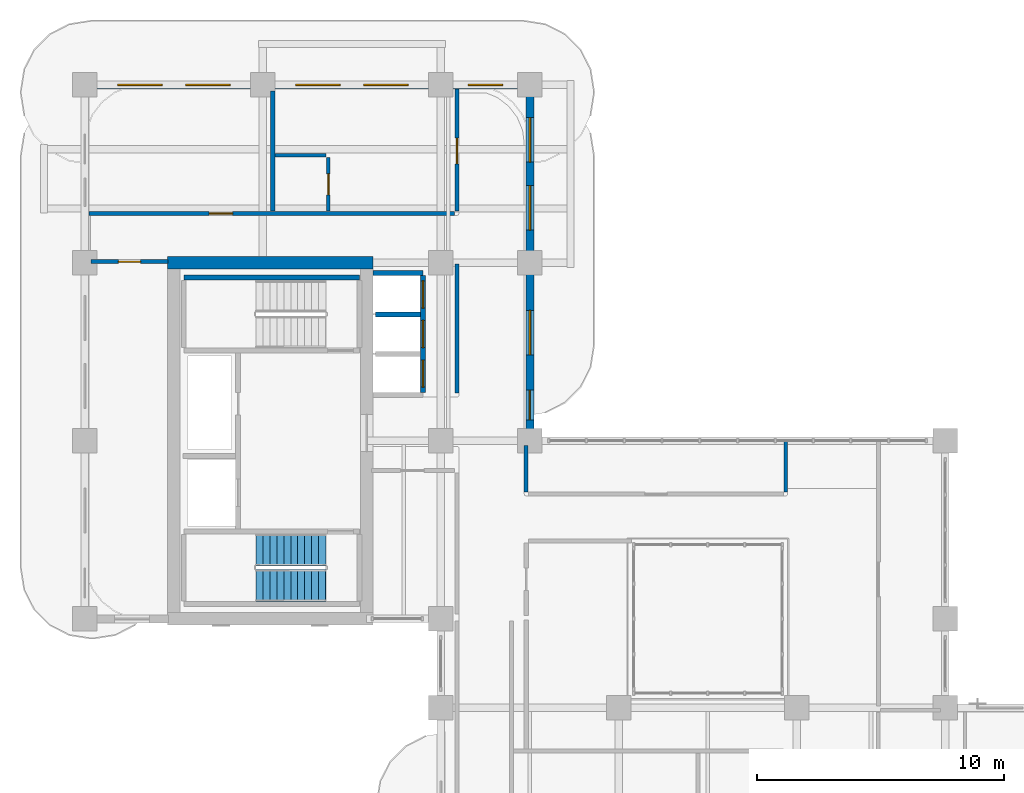
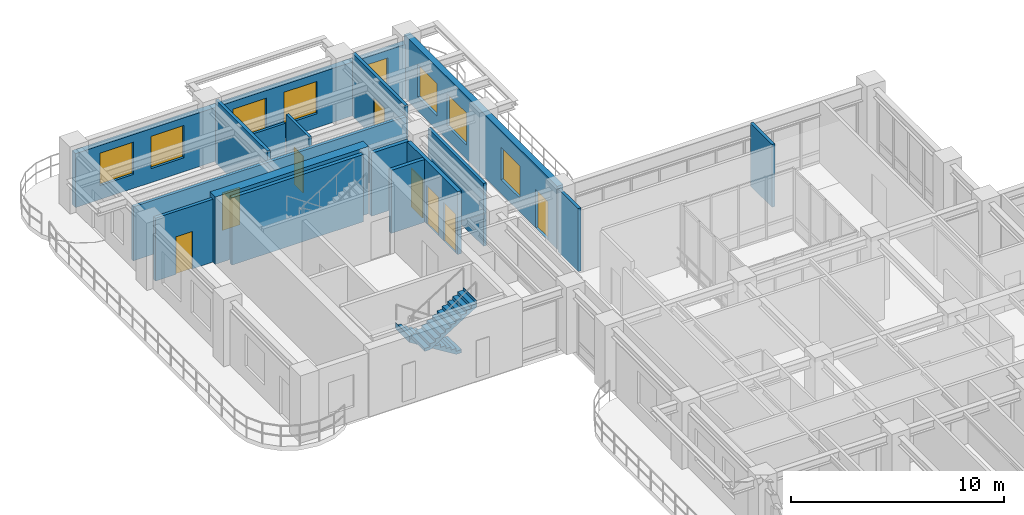
# One storey, part 15 of 21: 16 walls, 8 doors, 8 windows, 2 stair flights, 16 openings, 1 element without a shape of its own.
"""IFC4 building model written with IfcOpenShell, lengths in metres."""

from ifc_helpers import new_model, si_unit, derived_unit, direction, frame, frame_2d, origin, place, context, subcontext, project, spatial, polyline, rectangle, outline, extrude, source, transform, mapped, material, layer, layer_set, type_object, type_shapes, element, fill, aggregate, save


model = new_model("IFC4")

# Units and contexts
model_context = context("Model", 3, precision=1e-05, world=origin(), true_north=direction((0.0, 1.0)))
body_context = subcontext(model_context, "Body", "Model", "MODEL_VIEW")
ifc_project = project(units=[si_unit("LENGTHUNIT", "METRE"), si_unit("AREAUNIT", "SQUARE_METRE"), si_unit("VOLUMEUNIT", "CUBIC_METRE"), si_unit("PLANEANGLEUNIT", "RADIAN"), si_unit("MASSUNIT", "GRAM", prefix="KILO"), si_unit("THERMODYNAMICTEMPERATUREUNIT", "KELVIN"), si_unit("POWERUNIT", "WATT"), derived_unit("THERMALTRANSMITTANCEUNIT", [(si_unit("POWERUNIT", "WATT"), 1), (si_unit("AREAUNIT", "SQUARE_METRE"), -1), (si_unit("THERMODYNAMICTEMPERATUREUNIT", "KELVIN"), -1)])], contexts=[model_context])

# Site, building, storey
site_placement = place(None, origin())
site = spatial("IfcSite", under=ifc_project, at=site_placement, CompositionType="ELEMENT")
building_placement = place(site_placement, origin())
building = spatial("IfcBuilding", under=site, at=building_placement, Name="Zahravan Archway Hotel and Residences", CompositionType="ELEMENT")
storey_placement = place(building_placement, frame((0.0, 0.0, 169.550048828125)))
storey = spatial("IfcBuildingStorey", under=building, at=storey_placement, Name="L42", CompositionType="ELEMENT", Elevation=169.550048828125)

# Wall
ifc_material_1 = material(Name="Concrete C60/75", Category="concrete")
ifc_layer_1 = layer(ifc_material_1, 0.5, Name="Concrete C60/75", Category="concrete")
ifc_layer_set_1 = layer_set([ifc_layer_1], Name="Concrete C60/75")
wall_type_1 = type_object("IfcWallType", Name="CW-CORE-500", PredefinedType="SHEAR", material=ifc_layer_set_1)
wall_1_placement = place(storey_placement, frame((3.35009765625, 39.60009765625, 0.0), z_axis=(0.0, 0.0, 1.0), x_axis=(1.0, 0.0, 0.0)))
element("IfcWall", 1, at=wall_1_placement, inside=storey, type_object=wall_type_1, Name="L42 Core B Shear N Wall 500 mm", PredefinedType="SHEAR", context=body_context, shape_type="SweptSolid", body=[
    extrude(rectangle(XDim=8.2998046875, YDim=0.5, at=frame_2d((4.14990234375, 0.0))), origin(), (0.0, 0.0, 1.0), 3.849853515625),
])

# Wall, openings, windows
ifc_material_2 = material(Name="Agra Buff Sandstone & Insulated Backup", Category="masonry")
ifc_layer_2 = layer(ifc_material_2, 0.320068359375, Name="Agra Buff Sandstone & Insulated Backup", Category="masonry")
ifc_layer_set_2 = layer_set([ifc_layer_2], Name="Agra Buff Sandstone & Insulated Backup")
wall_type_2 = type_object("IfcWallType", Name="EW-SAND-320", PredefinedType="SOLIDWALL", material=ifc_layer_set_2)
wall_2_placement = place(storey_placement, frame((0.0, 46.800048828125, 0.0), z_axis=(0.0, 0.0, 1.0), x_axis=(1.0, 0.0, 0.0)))
wall_2 = element("IfcWall", 2, at=wall_2_placement, inside=storey, type_object=wall_type_2, Name="L42 Exterior Sandstone Wall WB-N", PredefinedType="SOLIDWALL", context=body_context, shape_type="SweptSolid", body=[
    extrude(rectangle(XDim=18.0, YDim=0.320068359375, at=frame_2d((9.0, 0.0))), origin(), (0.0, 0.0, 1.0), 3.0849609375),
])
opening_1_placement = place(wall_2_placement, frame((1.324951171875, 0.0, 0.800048828125)))
opening_1 = element("IfcOpeningElement", 3, at=opening_1_placement, cuts=wall_2, Name="Opening W-02", PredefinedType="OPENING", context=body_context, shape_type="SweptSolid", body=[
    extrude(rectangle(XDim=1.800048828125, YDim=1.85009765625, at=frame_2d((0.89990234375, 0.925048828125))), frame((0.0, 0.169921875, 0.0), z_axis=(0.0, -1.0, 0.0), x_axis=(1.0, 0.0, 0.0)), (0.0, 0.0, 1.0), 0.340087890625),
])
opening_2_placement = place(wall_2_placement, frame((4.074951171875, 0.0, 0.800048828125)))
opening_2 = element("IfcOpeningElement", 4, at=opening_2_placement, cuts=wall_2, Name="Opening W-02", PredefinedType="OPENING", context=body_context, shape_type="SweptSolid", body=[
    extrude(rectangle(XDim=1.800048828125, YDim=1.85009765625, at=frame_2d((0.89990234375, 0.925048828125))), frame((0.0, 0.169921875, 0.0), z_axis=(0.0, -1.0, 0.0), x_axis=(1.0, 0.0, 0.0)), (0.0, 0.0, 1.0), 0.340087890625),
])
opening_3_placement = place(wall_2_placement, frame((8.52490234375, 0.0, 0.800048828125)))
opening_3 = element("IfcOpeningElement", 5, at=opening_3_placement, cuts=wall_2, Name="Opening W-02", PredefinedType="OPENING", context=body_context, shape_type="SweptSolid", body=[
    extrude(rectangle(XDim=1.800048828125, YDim=1.85009765625, at=frame_2d((0.89990234375, 0.925048828125))), frame((0.0, 0.169921875, 0.0), z_axis=(0.0, -1.0, 0.0), x_axis=(1.0, 0.0, 0.0)), (0.0, 0.0, 1.0), 0.340087890625),
])
opening_4_placement = place(wall_2_placement, frame((11.27490234375, 0.0, 0.800048828125)))
opening_4 = element("IfcOpeningElement", 6, at=opening_4_placement, cuts=wall_2, Name="Opening W-02", PredefinedType="OPENING", context=body_context, shape_type="SweptSolid", body=[
    extrude(rectangle(XDim=1.800048828125, YDim=1.85009765625, at=frame_2d((0.89990234375, 0.925048828125))), frame((0.0, 0.169921875, 0.0), z_axis=(0.0, -1.0, 0.0), x_axis=(1.0, 0.0, 0.0)), (0.0, 0.0, 1.0), 0.340087890625),
])
opening_5_placement = place(wall_2_placement, frame((15.5, 0.0, 0.800048828125)))
opening_5 = element("IfcOpeningElement", 7, at=opening_5_placement, cuts=wall_2, Name="Opening W-03", PredefinedType="OPENING", context=body_context, shape_type="SweptSolid", body=[
    extrude(rectangle(XDim=1.39990234375, YDim=1.85009765625, at=frame_2d((0.699951171875, 0.925048828125))), frame((0.0, 0.169921875, 0.0), z_axis=(0.0, -1.0, 0.0), x_axis=(1.0, 0.0, 0.0)), (0.0, 0.0, 1.0), 0.340087890625),
])
ifc_material_3 = material(Name="Bronze-Anodized Thermal-Break Aluminium & Low-E Glass", Category="aluminium")
window_type_1 = type_object("IfcWindowType", Name="WIN-TWR-1400", PartitioningType="SINGLE_PANEL", PredefinedType="WINDOW", material=ifc_material_3)
shared_shape_1 = source(origin(), body_context, "Body", "SweptSolid", [
    extrude(rectangle(XDim=1.39990234375, YDim=1.85009765625, at=frame_2d((0.699951171875, 0.925048828125))), frame((0.0, 0.030029296875, 0.0), z_axis=(0.0, -1.0, 0.0), x_axis=(1.0, 0.0, 0.0)), (0.0, 0.0, 1.0), 0.06005859375),
])
type_shapes(window_type_1, [shared_shape_1])
window_1_placement = place(opening_5_placement, origin())
window_1 = element("IfcWindow", 8, at=window_1_placement, inside=storey, type_object=window_type_1, Name="L42 Loggia Window 30", OverallHeight=1.85009765625, OverallWidth=1.39990234375, PartitioningType="SINGLE_PANEL", PredefinedType="WINDOW", context=body_context, shape_type="MappedRepresentation", body=[
    mapped(shared_shape_1, transform((0.0, 0.0, 0.0), scale=1.0)),
])
fill(opening_5, window_1)
window_type_2 = type_object("IfcWindowType", Name="WIN-TWR-1800", PartitioningType="DOUBLE_PANEL_VERTICAL", PredefinedType="WINDOW", material=ifc_material_3)
shared_shape_2 = source(origin(), body_context, "Body", "SweptSolid", [
    extrude(rectangle(XDim=1.800048828125, YDim=1.85009765625, at=frame_2d((0.89990234375, 0.925048828125))), frame((0.0, 0.030029296875, 0.0), z_axis=(0.0, -1.0, 0.0), x_axis=(1.0, 0.0, 0.0)), (0.0, 0.0, 1.0), 0.06005859375),
])
type_shapes(window_type_2, [shared_shape_2])
window_2_placement = place(opening_1_placement, origin())
window_2 = element("IfcWindow", 9, at=window_2_placement, inside=storey, type_object=window_type_2, Name="L42 Loggia Window 26", OverallHeight=1.85009765625, OverallWidth=1.800048828125, PartitioningType="DOUBLE_PANEL_VERTICAL", PredefinedType="WINDOW", context=body_context, shape_type="MappedRepresentation", body=[
    mapped(shared_shape_2, transform((0.0, 0.0, 0.0), scale=1.0)),
])
fill(opening_1, window_2)
window_3_placement = place(opening_2_placement, origin())
window_3 = element("IfcWindow", 10, at=window_3_placement, inside=storey, type_object=window_type_2, Name="L42 Loggia Window 27", OverallHeight=1.85009765625, OverallWidth=1.800048828125, PartitioningType="DOUBLE_PANEL_VERTICAL", PredefinedType="WINDOW", context=body_context, shape_type="MappedRepresentation", body=[
    mapped(shared_shape_2, transform((0.0, 0.0, 0.0), scale=1.0)),
])
fill(opening_2, window_3)
window_4_placement = place(opening_3_placement, origin())
window_4 = element("IfcWindow", 11, at=window_4_placement, inside=storey, type_object=window_type_2, Name="L42 Loggia Window 28", OverallHeight=1.85009765625, OverallWidth=1.800048828125, PartitioningType="DOUBLE_PANEL_VERTICAL", PredefinedType="WINDOW", context=body_context, shape_type="MappedRepresentation", body=[
    mapped(shared_shape_2, transform((0.0, 0.0, 0.0), scale=1.0)),
])
fill(opening_3, window_4)
window_5_placement = place(opening_4_placement, origin())
window_5 = element("IfcWindow", 12, at=window_5_placement, inside=storey, type_object=window_type_2, Name="L42 Loggia Window 29", OverallHeight=1.85009765625, OverallWidth=1.800048828125, PartitioningType="DOUBLE_PANEL_VERTICAL", PredefinedType="WINDOW", context=body_context, shape_type="MappedRepresentation", body=[
    mapped(shared_shape_2, transform((0.0, 0.0, 0.0), scale=1.0)),
])
fill(opening_4, window_5)

# Wall, openings, door, windows
wall_3_placement = place(storey_placement, frame((18.0, 32.39990234375, 0.0), z_axis=(0.0, 0.0, 1.0), x_axis=(0.0, 1.0, 0.0)))
wall_3 = element("IfcWall", 13, at=wall_3_placement, inside=storey, type_object=wall_type_2, Name="L42 Exterior Sandstone Wall WB-EU", PredefinedType="SOLIDWALL", context=body_context, shape_type="SweptSolid", body=[
    extrude(rectangle(XDim=14.35009765625, YDim=0.320068359375, at=frame_2d((7.175048828125, 0.0))), origin(), (0.0, 0.0, 1.0), 3.599853515625),
])
opening_6_placement = place(wall_3_placement, frame((0.85009765625, 0.0, 0.0)))
opening_6 = element("IfcOpeningElement", 14, at=opening_6_placement, cuts=wall_3, Name="Opening ED-BL1", PredefinedType="OPENING", context=body_context, shape_type="SweptSolid", body=[
    extrude(rectangle(XDim=1.199951171875, YDim=2.199951171875, at=frame_2d((0.60009765625, 1.10009765625))), frame((0.0, 0.169921875, 0.0), z_axis=(0.0, -1.0, 0.0), x_axis=(1.0, 0.0, 0.0)), (0.0, 0.0, 1.0), 0.340087890625),
])
opening_7_placement = place(wall_3_placement, frame((3.47509765625, 0.0, 0.800048828125)))
opening_7 = element("IfcOpeningElement", 15, at=opening_7_placement, cuts=wall_3, Name="Opening W-02", PredefinedType="OPENING", context=body_context, shape_type="SweptSolid", body=[
    extrude(rectangle(XDim=1.800048828125, YDim=1.85009765625, at=frame_2d((0.89990234375, 0.925048828125))), frame((0.0, 0.169921875, 0.0), z_axis=(0.0, -1.0, 0.0), x_axis=(1.0, 0.0, 0.0)), (0.0, 0.0, 1.0), 0.340087890625),
])
opening_8_placement = place(wall_3_placement, frame((8.52490234375, 0.0, 0.800048828125)))
opening_8 = element("IfcOpeningElement", 16, at=opening_8_placement, cuts=wall_3, Name="Opening W-02", PredefinedType="OPENING", context=body_context, shape_type="SweptSolid", body=[
    extrude(rectangle(XDim=1.800048828125, YDim=1.85009765625, at=frame_2d((0.89990234375, 0.925048828125))), frame((0.0, 0.169921875, 0.0), z_axis=(0.0, -1.0, 0.0), x_axis=(1.0, 0.0, 0.0)), (0.0, 0.0, 1.0), 0.340087890625),
])
opening_9_placement = place(wall_3_placement, frame((11.27490234375, 0.0, 0.800048828125)))
opening_9 = element("IfcOpeningElement", 17, at=opening_9_placement, cuts=wall_3, Name="Opening W-02", PredefinedType="OPENING", context=body_context, shape_type="SweptSolid", body=[
    extrude(rectangle(XDim=1.800048828125, YDim=1.85009765625, at=frame_2d((0.89990234375, 0.925048828125))), frame((0.0, 0.169921875, 0.0), z_axis=(0.0, -1.0, 0.0), x_axis=(1.0, 0.0, 0.0)), (0.0, 0.0, 1.0), 0.340087890625),
])
ifc_material_4 = material(Name="Bronze-Anodized Glazed Aluminium", Category="aluminium")
door_type_1 = type_object("IfcDoorType", Name="ED-BALC-1200", OperationType="SLIDING_TO_LEFT", PredefinedType="DOOR", material=ifc_material_4)
shared_shape_3 = source(origin(), body_context, "Body", "SweptSolid", [
    extrude(rectangle(XDim=1.199951171875, YDim=2.199951171875, at=frame_2d((0.60009765625, 1.10009765625))), frame((0.0, 0.02490234375, 0.0), z_axis=(0.0, -1.0, 0.0), x_axis=(1.0, 0.0, 0.0)), (0.0, 0.0, 1.0), 0.050048828125),
])
type_shapes(door_type_1, [shared_shape_3])
door_1_placement = place(opening_6_placement, origin())
door_1 = element("IfcDoor", 18, at=door_1_placement, inside=storey, type_object=door_type_1, Name="L42 Outdoor Access Sliding Door (SLB-BAL-L42-EB)", OperationType="SLIDING_TO_LEFT", OverallHeight=2.199951171875, OverallWidth=1.199951171875, PredefinedType="DOOR", context=body_context, shape_type="MappedRepresentation", body=[
    mapped(shared_shape_3, transform((0.0, 0.0, 0.0), scale=1.0)),
])
fill(opening_6, door_1)
window_6_placement = place(opening_7_placement, origin())
window_6 = element("IfcWindow", 19, at=window_6_placement, inside=storey, type_object=window_type_2, Name="L42 Loggia Window 31", OverallHeight=1.85009765625, OverallWidth=1.800048828125, PartitioningType="DOUBLE_PANEL_VERTICAL", PredefinedType="WINDOW", context=body_context, shape_type="MappedRepresentation", body=[
    mapped(shared_shape_2, transform((0.0, 0.0, 0.0), scale=1.0)),
])
fill(opening_7, window_6)
window_7_placement = place(opening_8_placement, origin())
window_7 = element("IfcWindow", 20, at=window_7_placement, inside=storey, type_object=window_type_2, Name="L42 Loggia Window 32", OverallHeight=1.85009765625, OverallWidth=1.800048828125, PartitioningType="DOUBLE_PANEL_VERTICAL", PredefinedType="WINDOW", context=body_context, shape_type="MappedRepresentation", body=[
    mapped(shared_shape_2, transform((0.0, 0.0, 0.0), scale=1.0)),
])
fill(opening_8, window_7)
window_8_placement = place(opening_9_placement, origin())
window_8 = element("IfcWindow", 21, at=window_8_placement, inside=storey, type_object=window_type_2, Name="L42 Loggia Window 33", OverallHeight=1.85009765625, OverallWidth=1.800048828125, PartitioningType="DOUBLE_PANEL_VERTICAL", PredefinedType="WINDOW", context=body_context, shape_type="MappedRepresentation", body=[
    mapped(shared_shape_2, transform((0.0, 0.0, 0.0), scale=1.0)),
])
fill(opening_9, window_8)

# Wall
ifc_material_5 = material(Name="Fire-Rated Gypsum & Concrete Block", Category="concrete")
ifc_layer_3 = layer(ifc_material_5, 0.159912109375, Name="Fire-Rated Gypsum & Concrete Block", Category="concrete")
ifc_layer_set_3 = layer_set([ifc_layer_3], Name="Fire-Rated Gypsum & Concrete Block")
wall_type_3 = type_object("IfcWallType", Name="PW-CORR-160", PredefinedType="PARTITIONING", material=ifc_layer_set_3)
wall_4_placement = place(storey_placement, frame((15.050048828125, 34.340087890625, 0.0), z_axis=(0.0, 0.0, 1.0), x_axis=(0.0, 1.0, 0.0)))
element("IfcWall", 22, at=wall_4_placement, inside=storey, type_object=wall_type_3, Name="L42 Partition WBN-CL", PredefinedType="PARTITIONING", context=body_context, shape_type="SweptSolid", body=[
    extrude(rectangle(XDim=5.219970703125, YDim=0.159912109375, at=frame_2d((2.60986328125, 0.0))), origin(), (0.0, 0.0, 1.0), 3.599853515625),
])

# Wall, opening, door
wall_5_placement = place(storey_placement, frame((15.050048828125, 41.68994140625, 0.0), z_axis=(0.0, 0.0, 1.0), x_axis=(0.0, 1.0, 0.0)))
wall_5 = element("IfcWall", 23, at=wall_5_placement, inside=storey, type_object=wall_type_3, Name="L42 Partition WBN-CU", PredefinedType="PARTITIONING", context=body_context, shape_type="SweptSolid", body=[
    extrude(rectangle(XDim=4.942138671875, YDim=0.159912109375, at=frame_2d((2.47119140625, 0.0))), origin(), (0.0, 0.0, 1.0), 3.599853515625),
])
opening_10_placement = place(wall_5_placement, frame((1.909912109375, 0.0, 0.0)))
opening_10 = element("IfcOpeningElement", 24, at=opening_10_placement, cuts=wall_5, Name="Opening D-U1", PredefinedType="OPENING", context=body_context, shape_type="SweptSolid", body=[
    extrude(rectangle(XDim=1.050048828125, YDim=2.25, at=frame_2d((0.52490234375, 1.125))), frame((0.0, 0.08984375, 0.0), z_axis=(0.0, -1.0, 0.0), x_axis=(1.0, 0.0, 0.0)), (0.0, 0.0, 1.0), 0.179931640625),
])
ifc_material_6 = material(Name="Hardwood Veneer Timber", Category="wood")
door_type_2 = type_object("IfcDoorType", Name="ID-UNIT-1050", OperationType="NOTDEFINED", PredefinedType="DOOR", material=ifc_material_6)
shared_shape_4 = source(origin(), body_context, "Body", "SweptSolid", [
    extrude(rectangle(XDim=1.050048828125, YDim=2.25, at=frame_2d((0.52490234375, 1.125))), frame((0.0, 0.02490234375, 0.0), z_axis=(0.0, -1.0, 0.0), x_axis=(1.0, 0.0, 0.0)), (0.0, 0.0, 1.0), 0.050048828125),
])
type_shapes(door_type_2, [shared_shape_4])
door_2_placement = place(opening_10_placement, origin())
door_2 = element("IfcDoor", 25, at=door_2_placement, inside=storey, type_object=door_type_2, Name="L42 Hotel Guestroom 78 Entrance Door", OperationType="SINGLE_SWING_LEFT", OverallHeight=2.25, OverallWidth=1.050048828125, PredefinedType="DOOR", context=body_context, shape_type="MappedRepresentation", body=[
    mapped(shared_shape_4, transform((0.0, 0.0, 0.0), scale=1.0)),
])
fill(opening_10, door_2)

wall_6_placement = place(storey_placement, frame((0.16796875, 41.60009765625, 0.0), z_axis=(0.0, 0.0, 1.0), x_axis=(1.0, 0.0, 0.0)))
wall_6 = element("IfcWall", 26, at=wall_6_placement, inside=storey, type_object=wall_type_3, Name="L42 Partition WBN-S2", PredefinedType="PARTITIONING", context=body_context, shape_type="SweptSolid", body=[
    extrude(rectangle(XDim=14.7919921875, YDim=0.159912109375, at=frame_2d((7.39599609375, 0.0))), origin(), (0.0, 0.0, 1.0), 3.0849609375),
])
opening_11_placement = place(wall_6_placement, frame((4.85693359375, 0.0, 0.0)))
opening_11 = element("IfcOpeningElement", 27, at=opening_11_placement, cuts=wall_6, Name="Opening D-I1", PredefinedType="OPENING", context=body_context, shape_type="SweptSolid", body=[
    extrude(rectangle(XDim=0.949951171875, YDim=2.14990234375, at=frame_2d((0.47509765625, 1.074951171875))), frame((0.0, 0.08984375, 0.0), z_axis=(0.0, -1.0, 0.0), x_axis=(1.0, 0.0, 0.0)), (0.0, 0.0, 1.0), 0.179931640625),
])
door_type_3 = type_object("IfcDoorType", Name="ID-INT-950", OperationType="NOTDEFINED", PredefinedType="DOOR", material=ifc_material_6)
shared_shape_5 = source(origin(), body_context, "Body", "SweptSolid", [
    extrude(rectangle(XDim=0.949951171875, YDim=2.14990234375, at=frame_2d((0.47509765625, 1.074951171875))), frame((0.0, 0.02490234375, 0.0), z_axis=(0.0, -1.0, 0.0), x_axis=(1.0, 0.0, 0.0)), (0.0, 0.0, 1.0), 0.050048828125),
])
type_shapes(door_type_3, [shared_shape_5])
door_3_placement = place(opening_11_placement, origin())
door_3 = element("IfcDoor", 28, at=door_3_placement, inside=storey, type_object=door_type_3, Name="L42 North West Study Door", OperationType="SINGLE_SWING_LEFT", OverallHeight=2.14990234375, OverallWidth=0.949951171875, PredefinedType="DOOR", context=body_context, shape_type="MappedRepresentation", body=[
    mapped(shared_shape_5, transform((0.0, 0.0, 0.0), scale=1.0)),
])
fill(opening_11, door_3)

# Walls
wall_7_placement = place(storey_placement, frame((17.85009765625, 30.340087890625, 0.0), z_axis=(0.0, 0.0, 1.0), x_axis=(0.0, 1.0, 0.0)))
element("IfcWall", 29, at=wall_7_placement, inside=storey, type_object=wall_type_3, Name="L42 Partition ATR-NWW2", PredefinedType="PARTITIONING", context=body_context, shape_type="SweptSolid", body=[
    extrude(rectangle(XDim=1.869873046875, YDim=0.159912109375, at=frame_2d((0.93505859375, 0.0))), origin(), (0.0, 0.0, 1.0), 3.599853515625),
])
wall_8_placement = place(storey_placement, frame((28.35009765625, 30.340087890625, 0.0), z_axis=(0.0, 0.0, 1.0), x_axis=(0.0, 1.0, 0.0)))
element("IfcWall", 30, at=wall_8_placement, inside=storey, type_object=wall_type_3, Name="L42 Partition ATR-NWE", PredefinedType="PARTITIONING", context=body_context, shape_type="SweptSolid", body=[
    extrude(rectangle(XDim=2.031982421875, YDim=0.159912109375, at=frame_2d((1.01611328125, 0.0))), origin(), (0.0, 0.0, 1.0), 3.599853515625),
])
ifc_layer_4 = layer(ifc_material_5, 0.199951171875, Name="Fire-Rated Gypsum & Concrete Block", Category="concrete")
ifc_layer_set_4 = layer_set([ifc_layer_4], Name="Fire-Rated Gypsum & Concrete Block")
wall_type_4 = type_object("IfcWallType", Name="PW-SHAFT-200", PredefinedType="PARTITIONING", material=ifc_layer_set_4)
wall_9_placement = place(storey_placement, frame((11.659912109375, 39.18994140625, 0.0), z_axis=(0.0, 0.0, 1.0), x_axis=(1.0, 0.0, 0.0)))
element("IfcWall", 31, at=wall_9_placement, inside=storey, type_object=wall_type_4, Name="L42 Partition B2-N", PredefinedType="PARTITIONING", context=body_context, shape_type="SweptSolid", body=[
    extrude(rectangle(XDim=2.010009765625, YDim=0.199951171875, at=frame_2d((1.0048828125, 0.0))), origin(), (0.0, 0.0, 1.0), 3.599853515625),
])

# Wall, openings, doors
wall_10_placement = place(storey_placement, frame((13.679931640625, 34.360107421875, 0.0), z_axis=(0.0, 0.0, 1.0), x_axis=(0.0, 1.0, 0.0)))
wall_10 = element("IfcWall", 32, at=wall_10_placement, inside=storey, type_object=wall_type_4, Name="L42 Partition B2-E", PredefinedType="PARTITIONING", context=body_context, shape_type="SweptSolid", body=[
    extrude(rectangle(XDim=4.719970703125, YDim=0.199951171875, at=frame_2d((2.35986328125, 0.0))), origin(), (0.0, 0.0, 1.0), 3.599853515625),
])
opening_12_placement = place(wall_10_placement, frame((0.2099609375, 0.0, 0.0)))
opening_12 = element("IfcOpeningElement", 33, at=opening_12_placement, cuts=wall_10, Name="Opening LD", PredefinedType="OPENING", context=body_context, shape_type="SweptSolid", body=[
    extrude(rectangle(XDim=1.10009765625, YDim=2.199951171875, at=frame_2d((0.550048828125, 1.10009765625))), frame((0.0, 0.10986328125, 0.0), z_axis=(0.0, -1.0, 0.0), x_axis=(1.0, 0.0, 0.0)), (0.0, 0.0, 1.0), 0.219970703125),
])
opening_13_placement = place(wall_10_placement, frame((1.81005859375, 0.0, 0.0)))
opening_13 = element("IfcOpeningElement", 34, at=opening_13_placement, cuts=wall_10, Name="Opening LD", PredefinedType="OPENING", context=body_context, shape_type="SweptSolid", body=[
    extrude(rectangle(XDim=1.10009765625, YDim=2.199951171875, at=frame_2d((0.550048828125, 1.10009765625))), frame((0.0, 0.10986328125, 0.0), z_axis=(0.0, -1.0, 0.0), x_axis=(1.0, 0.0, 0.0)), (0.0, 0.0, 1.0), 0.219970703125),
])
opening_14_placement = place(wall_10_placement, frame((3.409912109375, 0.0, 0.0)))
opening_14 = element("IfcOpeningElement", 35, at=opening_14_placement, cuts=wall_10, Name="Opening LD", PredefinedType="OPENING", context=body_context, shape_type="SweptSolid", body=[
    extrude(rectangle(XDim=1.10009765625, YDim=2.199951171875, at=frame_2d((0.550048828125, 1.10009765625))), frame((0.0, 0.10986328125, 0.0), z_axis=(0.0, -1.0, 0.0), x_axis=(1.0, 0.0, 0.0)), (0.0, 0.0, 1.0), 0.219970703125),
])
ifc_material_7 = material(Name="Brushed Stainless Steel", Category="steel")
door_type_4 = type_object("IfcDoorType", Name="DR-LIFT-LD", OperationType="SLIDING_TO_LEFT", PredefinedType="DOOR", material=ifc_material_7)
shared_shape_6 = source(origin(), body_context, "Body", "SweptSolid", [
    extrude(rectangle(XDim=1.10009765625, YDim=2.199951171875, at=frame_2d((0.550048828125, 1.10009765625))), frame((0.0, 0.02490234375, 0.0), z_axis=(0.0, -1.0, 0.0), x_axis=(1.0, 0.0, 0.0)), (0.0, 0.0, 1.0), 0.050048828125),
])
type_shapes(door_type_4, [shared_shape_6])
door_4_placement = place(opening_12_placement, origin())
door_4 = element("IfcDoor", 36, at=door_4_placement, inside=storey, type_object=door_type_4, Name="L42 Lift LP-4 Sliding Landing Door", OperationType="SLIDING_TO_LEFT", OverallHeight=2.199951171875, OverallWidth=1.10009765625, PredefinedType="DOOR", context=body_context, shape_type="MappedRepresentation", body=[
    mapped(shared_shape_6, transform((0.0, 0.0, 0.0), scale=1.0)),
])
fill(opening_12, door_4)
door_5_placement = place(opening_13_placement, origin())
door_5 = element("IfcDoor", 37, at=door_5_placement, inside=storey, type_object=door_type_4, Name="L42 Lift LP-5 Sliding Landing Door", OperationType="SLIDING_TO_LEFT", OverallHeight=2.199951171875, OverallWidth=1.10009765625, PredefinedType="DOOR", context=body_context, shape_type="MappedRepresentation", body=[
    mapped(shared_shape_6, transform((0.0, 0.0, 0.0), scale=1.0)),
])
fill(opening_13, door_5)
door_6_placement = place(opening_14_placement, origin())
door_6 = element("IfcDoor", 38, at=door_6_placement, inside=storey, type_object=door_type_4, Name="L42 Lift LP-6 Sliding Landing Door", OperationType="SLIDING_TO_LEFT", OverallHeight=2.199951171875, OverallWidth=1.10009765625, PredefinedType="DOOR", context=body_context, shape_type="MappedRepresentation", body=[
    mapped(shared_shape_6, transform((0.0, 0.0, 0.0), scale=1.0)),
])
fill(opening_14, door_6)

# Wall
wall_11_placement = place(storey_placement, frame((11.760009765625, 37.52001953125, 0.0), z_axis=(0.0, 0.0, 1.0), x_axis=(1.0, 0.0, 0.0)))
element("IfcWall", 39, at=wall_11_placement, inside=storey, type_object=wall_type_4, Name="L42 Partition B2-D", PredefinedType="PARTITIONING", context=body_context, shape_type="SweptSolid", body=[
    extrude(rectangle(XDim=1.81005859375, YDim=0.199951171875, at=frame_2d((0.905029296875, 0.0))), origin(), (0.0, 0.0, 1.0), 3.599853515625),
])

# Wall, opening, door
ifc_material_8 = material(Name="Acoustic Stud Partition")
ifc_layer_5 = layer(ifc_material_8, 0.169921875, Name="Acoustic Stud Partition")
ifc_layer_set_5 = layer_set([ifc_layer_5], Name="Acoustic Stud Partition")
wall_type_5 = type_object("IfcWallType", Name="PW-UNIT-170", PredefinedType="PARTITIONING", material=ifc_layer_set_5)
wall_12_placement = place(storey_placement, frame((0.239990234375, 39.64990234375, 0.0), z_axis=(0.0, 0.0, 1.0), x_axis=(1.0, 0.0, 0.0)))
wall_12 = element("IfcWall", 40, at=wall_12_placement, inside=storey, type_object=wall_type_5, Name="L42 Partition WBW-N", PredefinedType="PARTITIONING", context=body_context, shape_type="SweptSolid", body=[
    extrude(rectangle(XDim=3.1201171875, YDim=0.169921875, at=frame_2d((1.56005859375, 0.0))), origin(), (0.0, 0.0, 1.0), 3.599853515625),
])
opening_15_placement = place(wall_12_placement, frame((1.110107421875, 0.0, 0.0)))
opening_15 = element("IfcOpeningElement", 41, at=opening_15_placement, cuts=wall_12, Name="Opening D-I2", PredefinedType="OPENING", context=body_context, shape_type="SweptSolid", body=[
    extrude(rectangle(XDim=0.89990234375, YDim=2.14990234375, at=frame_2d((0.449951171875, 1.074951171875))), frame((0.0, 0.094970703125, 0.0), z_axis=(0.0, -1.0, 0.0), x_axis=(1.0, 0.0, 0.0)), (0.0, 0.0, 1.0), 0.18994140625),
])
door_type_5 = type_object("IfcDoorType", Name="ID-INT-900", OperationType="NOTDEFINED", PredefinedType="DOOR", material=ifc_material_6)
shared_shape_7 = source(origin(), body_context, "Body", "SweptSolid", [
    extrude(rectangle(XDim=0.89990234375, YDim=2.14990234375, at=frame_2d((0.449951171875, 1.074951171875))), frame((0.0, 0.02490234375, 0.0), z_axis=(0.0, -1.0, 0.0), x_axis=(1.0, 0.0, 0.0)), (0.0, 0.0, 1.0), 0.050048828125),
])
type_shapes(door_type_5, [shared_shape_7])
door_7_placement = place(opening_15_placement, origin())
door_7 = element("IfcDoor", 42, at=door_7_placement, inside=storey, type_object=door_type_5, Name="L42 West Loggia Salon Door", OperationType="SINGLE_SWING_RIGHT", OverallHeight=2.14990234375, OverallWidth=0.89990234375, PredefinedType="DOOR", context=body_context, shape_type="MappedRepresentation", body=[
    mapped(shared_shape_7, transform((0.0, 0.0, 0.0), scale=1.0)),
])
fill(opening_15, door_7)

# Walls
wall_13_placement = place(storey_placement, frame((7.60009765625, 41.68994140625, 0.0), z_axis=(0.0, 0.0, 1.0), x_axis=(0.0, 1.0, 0.0)))
element("IfcWall", 43, at=wall_13_placement, inside=storey, type_object=wall_type_5, Name="L42 Partition WBN-V2", PredefinedType="PARTITIONING", context=body_context, shape_type="SweptSolid", body=[
    extrude(rectangle(XDim=4.8701171875, YDim=0.169921875, at=frame_2d((2.43505859375, 0.0))), origin(), (0.0, 0.0, 1.0), 3.599853515625),
])
ifc_material_9 = material(Name="Moisture-Resistant Blockwork", Category="masonry")
ifc_layer_6 = layer(ifc_material_9, 0.139892578125, Name="Moisture-Resistant Blockwork", Category="masonry")
ifc_layer_set_6 = layer_set([ifc_layer_6], Name="Moisture-Resistant Blockwork")
wall_type_6 = type_object("IfcWallType", Name="PW-WET-140", PredefinedType="PARTITIONING", material=ifc_layer_set_6)
wall_14_placement = place(storey_placement, frame((7.68994140625, 43.949951171875, 0.0), z_axis=(0.0, 0.0, 1.0), x_axis=(1.0, 0.0, 0.0)))
element("IfcWall", 44, at=wall_14_placement, inside=storey, type_object=wall_type_6, Name="L42 Partition HKB-H78", PredefinedType="PARTITIONING", context=body_context, shape_type="SweptSolid", body=[
    extrude(rectangle(XDim=2.070068359375, YDim=0.139892578125, at=frame_2d((1.03515625, 0.0))), origin(), (0.0, 0.0, 1.0), 3.0849609375),
])

# Wall, opening, door
wall_15_placement = place(storey_placement, frame((9.85009765625, 41.68994140625, 0.0), z_axis=(0.0, 0.0, 1.0), x_axis=(0.0, 1.0, 0.0)))
wall_15 = element("IfcWall", 45, at=wall_15_placement, inside=storey, type_object=wall_type_6, Name="L42 Partition HKB-V78", PredefinedType="PARTITIONING", context=body_context, shape_type="SweptSolid", body=[
    extrude(rectangle(XDim=2.170166015625, YDim=0.139892578125, at=frame_2d((1.0849609375, 0.0))), origin(), (0.0, 0.0, 1.0), 3.599853515625),
])
opening_16_placement = place(wall_15_placement, frame((0.659912109375, 0.0, 0.0)))
opening_16 = element("IfcOpeningElement", 46, at=opening_16_placement, cuts=wall_15, Name="Opening D-B1", PredefinedType="OPENING", context=body_context, shape_type="SweptSolid", body=[
    extrude(rectangle(XDim=0.85009765625, YDim=2.10009765625, at=frame_2d((0.425048828125, 1.050048828125))), frame((0.0, 0.080078125, 0.0), z_axis=(0.0, -1.0, 0.0), x_axis=(1.0, 0.0, 0.0)), (0.0, 0.0, 1.0), 0.159912109375),
])
door_type_6 = type_object("IfcDoorType", Name="ID-BATH-850", OperationType="NOTDEFINED", PredefinedType="DOOR", material=ifc_material_6)
shared_shape_8 = source(origin(), body_context, "Body", "SweptSolid", [
    extrude(rectangle(XDim=0.85009765625, YDim=2.10009765625, at=frame_2d((0.425048828125, 1.050048828125))), frame((0.0, 0.02490234375, 0.0), z_axis=(0.0, -1.0, 0.0), x_axis=(1.0, 0.0, 0.0)), (0.0, 0.0, 1.0), 0.050048828125),
])
type_shapes(door_type_6, [shared_shape_8])
door_8_placement = place(opening_16_placement, origin())
door_8 = element("IfcDoor", 47, at=door_8_placement, inside=storey, type_object=door_type_6, Name="L42 Guestroom 78 En-Suite Door", OperationType="SINGLE_SWING_RIGHT", OverallHeight=2.10009765625, OverallWidth=0.85009765625, PredefinedType="DOOR", context=body_context, shape_type="MappedRepresentation", body=[
    mapped(shared_shape_8, transform((0.0, 0.0, 0.0), scale=1.0)),
])
fill(opening_16, door_8)

# Wall
ifc_material_10 = material(Name="Concrete C50/60", Category="concrete")
ifc_layer_7 = layer(ifc_material_10, 0.199951171875, Name="Concrete C50/60", Category="concrete")
ifc_layer_set_7 = layer_set([ifc_layer_7], Name="Concrete C50/60")
wall_type_7 = type_object("IfcWallType", Name="SW-STAIR-200", PredefinedType="SHEAR", material=ifc_layer_set_7)
wall_16_placement = place(storey_placement, frame((4.0, 39.0, 0.0), z_axis=(0.0, 0.0, 1.0), x_axis=(1.0, 0.0, 0.0)))
element("IfcWall", 48, at=wall_16_placement, inside=storey, type_object=wall_type_7, Name="L42 Stairwell RC Wall CB-SB2N", PredefinedType="SHEAR", context=body_context, shape_type="SweptSolid", body=[
    extrude(rectangle(XDim=7.10009765625, YDim=0.199951171875, at=frame_2d((3.550048828125, 0.0))), origin(), (0.0, 0.0, 1.0), 3.849853515625),
])

# Stair, stair flights
stair_type = type_object("IfcStairType", Name="STR-CORE-1300", PredefinedType="HALF_TURN_STAIR", material=ifc_material_10)
stair_placement = place(storey_placement, origin())
stair = element("IfcStair", 49, at=stair_placement, inside=storey, type_object=stair_type, Name="L42 Core B Exit Stair 1", PredefinedType="HALF_TURN_STAIR")
ifc_layer_8 = layer(ifc_material_10, 0.199951171875, Name="Concrete C50/60", Category="concrete")
ifc_layer_set_8 = layer_set([ifc_layer_8], Name="Concrete C50/60")
stair_flight_type = type_object("IfcStairFlightType", Name="SFL-CORE-1300", PredefinedType="STRAIGHT", material=ifc_layer_set_8)
shared_shape_9 = source(origin(), body_context, "Body", "SweptSolid", [
    extrude(outline(polyline([(-0.01611328125, 0.0), (-0.01611328125, 0.175048828125), (0.280029296875, 0.175048828125), (0.280029296875, 0.35009765625), (0.56005859375, 0.35009765625), (0.56005859375, 0.52490234375), (0.840087890625, 0.52490234375), (0.840087890625, 0.699951171875), (1.1201171875, 0.699951171875), (1.1201171875, 0.875), (1.39990234375, 0.875), (1.39990234375, 1.050048828125), (1.679931640625, 1.050048828125), (1.679931640625, 1.22509765625), (1.9599609375, 1.22509765625), (1.9599609375, 1.39990234375), (2.239990234375, 1.39990234375), (2.239990234375, 1.574951171875), (2.52001953125, 1.574951171875), (2.52001953125, 1.75), (2.800048828125, 1.75), (2.800048828125, 1.925048828125), (2.816162109375, 1.925048828125), (2.816162109375, 1.5732421875), (0.28271484375, 0.0), (-0.01611328125, 0.0)])), frame((0.0, 0.64990234375, 0.0), z_axis=(0.0, -1.0, 0.0), x_axis=(1.0, 0.0, 0.0)), (0.0, 0.0, 1.0), 1.300048828125),
])
stair_flight_1_placement = place(storey_placement, frame((9.72998046875, 27.989990234375, 0.0), z_axis=(0.0, 0.0, 1.0), x_axis=(-1.0, 0.0, 0.0)))
stair_flight_1 = element("IfcStairFlight", 50, at=stair_flight_1_placement, type_object=stair_flight_type, Name="ST-B1 flight 1", NumberOfRisers=11, NumberOfTreads=10, PredefinedType="STRAIGHT", RiserHeight=0.175, TreadLength=0.28, context=body_context, shape_type="MappedRepresentation", body=[
    mapped(shared_shape_9, transform((0.0, 0.0, 0.0), scale=1.0)),
])
stair_flight_2_placement = place(storey_placement, frame((6.929931640625, 26.550048828125, 1.925048828125), z_axis=(0.0, 0.0, 1.0), x_axis=(1.0, 0.0, 0.0)))
stair_flight_2 = element("IfcStairFlight", 51, at=stair_flight_2_placement, type_object=stair_flight_type, Name="ST-B1 flight 2", NumberOfRisers=11, NumberOfTreads=10, PredefinedType="STRAIGHT", RiserHeight=0.175, TreadLength=0.28, context=body_context, shape_type="MappedRepresentation", body=[
    mapped(shared_shape_9, transform((0.0, 0.0, 0.0), scale=1.0)),
])
aggregate(stair, [stair_flight_1, stair_flight_2])

save(model, "model.ifc")
